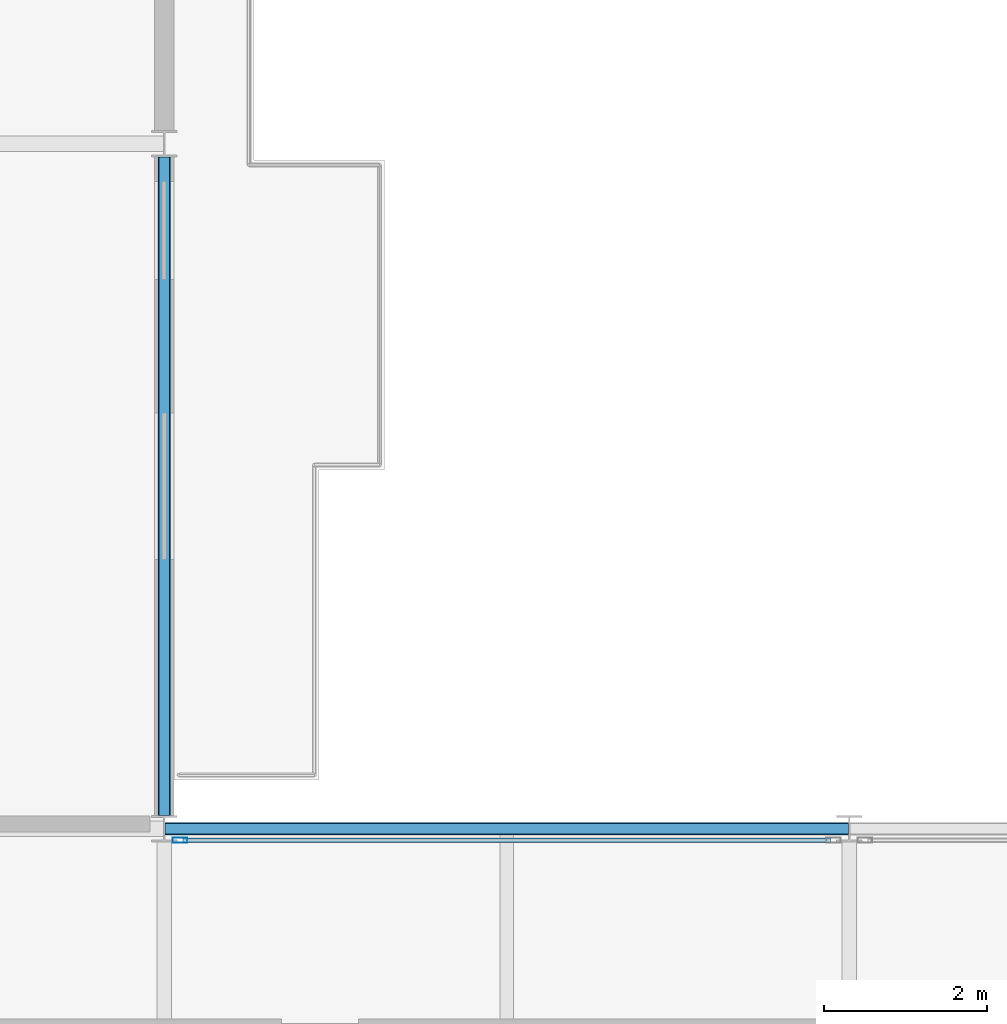
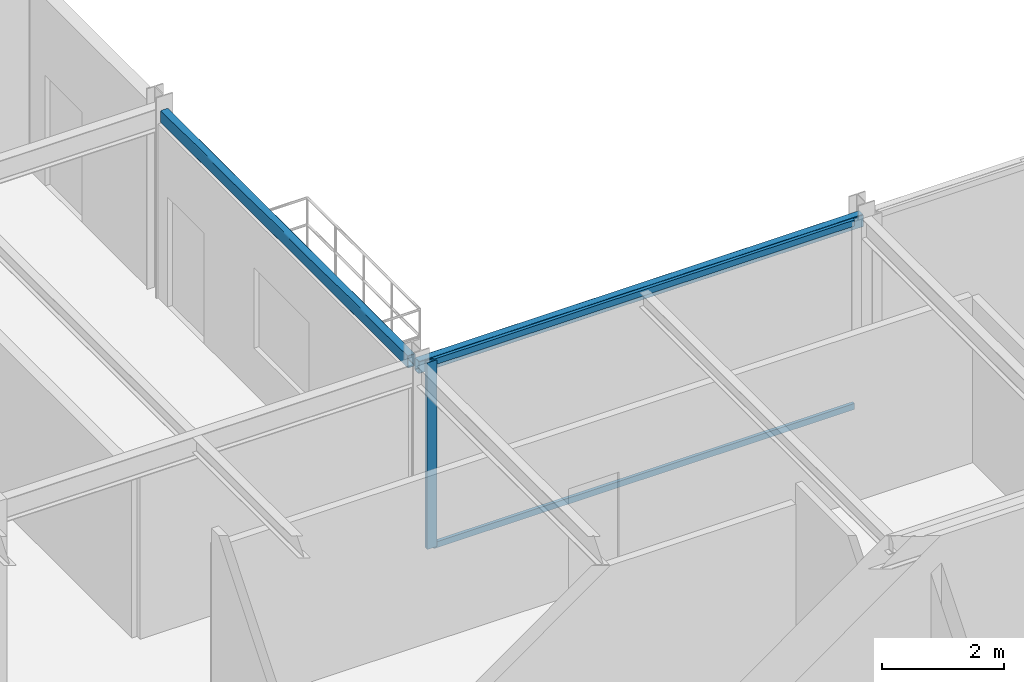
# One storey, part 13 of 26: 3 members, 2 beams, 1 element without a shape of its own.
"""IFC4 building model written with IfcOpenShell, lengths in metres."""

from ifc_helpers import new_model, si_unit, direction, frame, origin, origin_2d, place, context, subcontext, project, spatial, hollow_rectangle, extrude, material, layer, layer_set, material_profile, profile_set, type_object, element, aggregate, save


model = new_model("IFC4")

# Units and contexts
model_context = context("Model", 3, precision=1e-05, world=origin(), true_north=direction((0.0, 1.0)))
body_context = subcontext(model_context, "Body", "Model", "MODEL_VIEW")
ifc_project = project(units=[si_unit("LENGTHUNIT", "METRE"), si_unit("AREAUNIT", "SQUARE_METRE"), si_unit("VOLUMEUNIT", "CUBIC_METRE"), si_unit("PLANEANGLEUNIT", "RADIAN"), si_unit("MASSUNIT", "GRAM", prefix="KILO")], contexts=[model_context])

# Site, building, storey
site_placement = place(None, origin())
site = spatial("IfcSite", under=ifc_project, at=site_placement, CompositionType="ELEMENT")
building_placement = place(site_placement, origin())
building = spatial("IfcBuilding", under=site, at=building_placement, Name="Nerrivon Quay Data Exchange", CompositionType="ELEMENT")
storey_placement = place(building_placement, frame((0.0, 0.0, 274.199951171875)))
storey = spatial("IfcBuildingStorey", under=building, at=storey_placement, Name="L65", CompositionType="ELEMENT", Elevation=274.199951171875)

# Beams
ifc_material_1 = material(Name="Steel Grade C350L0 (350 MPa)", Category="steel")
ifc_material_profile_1 = material_profile(ifc_material_1, hollow_rectangle(XDim=0.14990234375, YDim=0.25, WallThickness=0.009033203125, InnerFilletRadius=0.013427734375, OuterFilletRadius=0.0224609375, at=origin_2d()), Name="250x150x9.0RHS")
ifc_profile_set_1 = profile_set([ifc_material_profile_1], Name="Steel Grade C350L0 (350 MPa)")
beam_type = type_object("IfcBeamType", Name="BM-SP4-250x150RHS", PredefinedType="SPANDREL", material=ifc_profile_set_1)
beam_1_placement = place(storey_placement, frame((25.2080078125, 25.199951171875, 3.60009765625), z_axis=(1.0, 0.0, 0.0), x_axis=(0.0, 1.0, 0.0)))
element("IfcBeam", 1, at=beam_1_placement, inside=storey, type_object=beam_type, Name="L65 EW Girder Y=25.2 (25.2..33.6)", PredefinedType="SPANDREL", context=body_context, shape_type="SweptSolid", body=[
    extrude(hollow_rectangle(XDim=0.14990234375, YDim=0.25, WallThickness=0.009033203125, InnerFilletRadius=0.013427734375, OuterFilletRadius=0.0224609375, at=origin_2d()), origin(), (0.0, 0.0, 1.0), 8.38427734375),
])
beam_2_placement = place(storey_placement, frame((25.199951171875, 25.363525390625, 3.60009765625), z_axis=(0.0, 1.0, 0.0), x_axis=(-1.0, 0.0, 0.0)))
element("IfcBeam", 2, at=beam_2_placement, inside=storey, type_object=beam_type, Name="L65 NS Girder X=25.2 (25.2..33.6)", PredefinedType="SPANDREL", context=body_context, shape_type="SweptSolid", body=[
    extrude(hollow_rectangle(XDim=0.14990234375, YDim=0.25, WallThickness=0.009033203125, InnerFilletRadius=0.013427734375, OuterFilletRadius=0.0224609375, at=origin_2d()), origin(), (0.0, 0.0, 1.0), 8.072998046875),
])

# Curtain wall, members
ifc_material_2 = material(Name="Anodised aluminium 6063-T6", Category="aluminium")
ifc_layer = layer(ifc_material_2, 0.195068359375)
ifc_layer_set = layer_set([ifc_layer], Name="Anodised aluminium 6063-T6")
curtain_wall_type = type_object("IfcCurtainWallType", Name="CW-SYS-06", PredefinedType="NOTDEFINED", material=ifc_layer_set)
curtain_wall_placement = place(storey_placement, origin())
curtain_wall = element("IfcCurtainWall", 3, at=curtain_wall_placement, inside=storey, type_object=curtain_wall_type, Name="L65 Unitised Curtain Wall 24", PredefinedType="NOTDEFINED")
ifc_material_profile_2 = material_profile(ifc_material_2, hollow_rectangle(XDim=0.06494140625, YDim=0.179931640625, WallThickness=0.00341796875, at=origin_2d()), Name="ALU-MULL-180x65")
ifc_profile_set_2 = profile_set([ifc_material_profile_2], Name="Anodised aluminium 6063-T6")
member_type_1 = type_object("IfcMemberType", Name="CWM-180x65", PredefinedType="MULLION", material=ifc_profile_set_2)
member_1_placement = place(storey_placement, frame((25.39306640625, 25.06005859375, 0.0), z_axis=(0.0, 0.0, 1.0), x_axis=(0.0, 1.0, 0.0)))
member_1 = element("IfcMember", 4, at=member_1_placement, type_object=member_type_1, Name="CW06 mullion 1", PredefinedType="MULLION", context=body_context, shape_type="SweptSolid", body=[
    extrude(hollow_rectangle(XDim=0.06494140625, YDim=0.179931640625, WallThickness=0.00341796875, at=origin_2d()), origin(), (0.0, 0.0, 1.0), 3.72509765625),
])
ifc_material_profile_3 = material_profile(ifc_material_2, hollow_rectangle(XDim=0.06005859375, YDim=0.1201171875, WallThickness=0.003173828125, at=origin_2d()), Name="ALU-TRAN-120x60")
ifc_profile_set_3 = profile_set([ifc_material_profile_3], Name="Anodised aluminium 6063-T6")
member_type_2 = type_object("IfcMemberType", Name="CWT-120x60", PredefinedType="USERDEFINED", material=ifc_profile_set_3)
member_2_placement = place(storey_placement, frame((25.430419921875, 25.06005859375, 0.032470703125), z_axis=(1.0, 0.0, 0.0), x_axis=(0.0, 1.0, 0.0)))
member_2 = element("IfcMember", 5, at=member_2_placement, type_object=member_type_2, Name="CW06 transom 1.1", ObjectType="TRANSOM", PredefinedType="USERDEFINED", context=body_context, shape_type="SweptSolid", body=[
    extrude(hollow_rectangle(XDim=0.06005859375, YDim=0.1201171875, WallThickness=0.003173828125, at=origin_2d()), origin(), (0.0, 0.0, 1.0), 7.93896484375),
])
member_3_placement = place(storey_placement, frame((25.430419921875, 25.06005859375, 3.692626953125), z_axis=(1.0, 0.0, 0.0), x_axis=(0.0, 1.0, 0.0)))
member_3 = element("IfcMember", 6, at=member_3_placement, type_object=member_type_2, Name="CW06 transom 1.2", ObjectType="TRANSOM", PredefinedType="USERDEFINED", context=body_context, shape_type="SweptSolid", body=[
    extrude(hollow_rectangle(XDim=0.06005859375, YDim=0.1201171875, WallThickness=0.003173828125, at=origin_2d()), origin(), (0.0, 0.0, 1.0), 7.93896484375),
])
aggregate(curtain_wall, [member_1, member_2, member_3])

save(model, "model.ifc")
